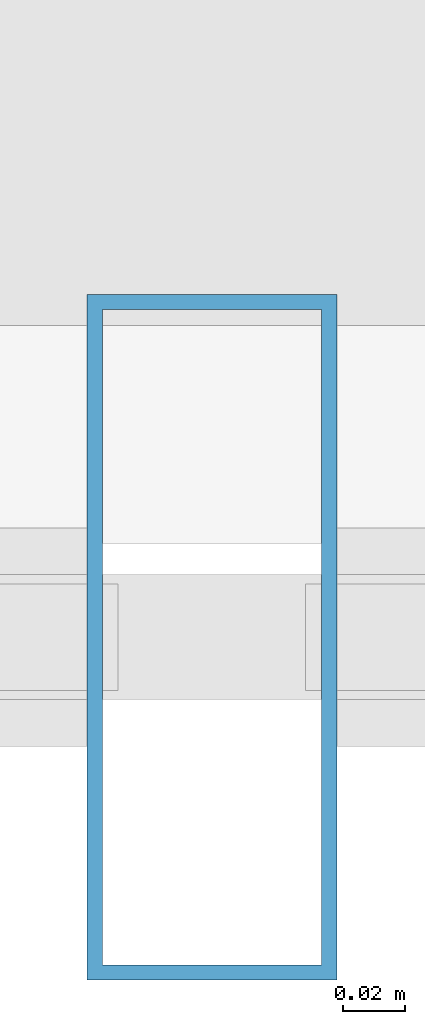
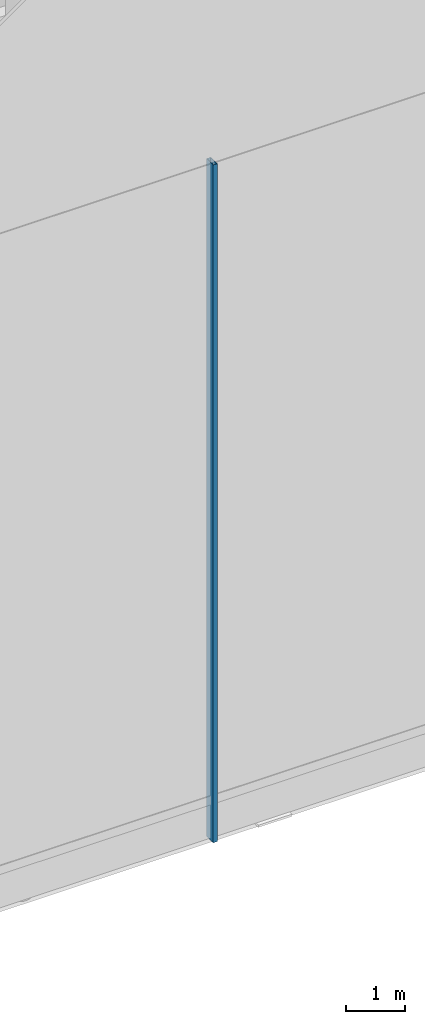
# One storey, part 14 of 42: 1 member, 1 element without a shape of its own.
"""IFC4 building model written with IfcOpenShell, lengths in metres."""

import ifcopenshell
import ifcopenshell.guid

model = None  # the IFC model being written
_history = None  # IfcOwnerHistory: only IFC2X3 demands one
_inside = {}  # id of a spatial element -> (the spatial element, [elements in it])
_under = {}  # id of a project, library or spatial element -> (it, [spatial elements below it])
_declared = {}  # id of a project -> (the project, [libraries it declares])
_typed = {}  # id of a type object -> (the type object, [elements of that type])
_made_of = {}  # id of a material, layer set ... -> (it, [elements and type objects made of it])


def new_model(schema):
    """Start an empty IFC model of exactly this schema.

    Asked for "IFC4X3", IfcOpenShell would pick the latest addendum, in which some entities
    have other attributes; the version numbers below select the first issue.
    IFC2X3 requires an IfcOwnerHistory on every rooted entity: one is made here for all.
    """
    global model, _history
    if schema == "IFC4X3":
        model = ifcopenshell.file(schema_version=(4, 3, 0, 0))
    else:
        model = ifcopenshell.file(schema=schema)
    _inside.clear()
    _under.clear()
    _declared.clear()
    _typed.clear()
    _made_of.clear()
    _history = None
    if model.schema == "IFC2X3":
        org = make("IfcOrganization", Name="unknown")
        user = make(
            "IfcPersonAndOrganization",
            ThePerson=make("IfcPerson", FamilyName="unknown"),
            TheOrganization=org,
        )
        app = make(
            "IfcApplication",
            ApplicationDeveloper=org,
            Version="unknown",
            ApplicationFullName="unknown",
            ApplicationIdentifier="unknown",
        )
        _history = make(
            "IfcOwnerHistory",
            OwningUser=user,
            OwningApplication=app,
            ChangeAction="ADDED",
            CreationDate=0,
        )
    return model


def make(cls, **values):
    """One entity of the class cls with the attributes given. An attribute that is None is left unset."""
    return model.create_entity(
        cls, **{name: value for name, value in values.items() if value is not None}
    )


def rooted(cls, **values):
    """An entity with a GlobalId (a new one), such as an element, a storey or a relation."""
    return make(cls, GlobalId=ifcopenshell.guid.new(), OwnerHistory=_history, **values)


def si_unit(unit_type, name, prefix=None):
    """IfcSIUnit, for example si_unit("LENGTHUNIT", "METRE", prefix="MILLI")."""
    return make("IfcSIUnit", UnitType=unit_type, Prefix=prefix, Name=name)


def assignment(units):
    """IfcUnitAssignment: the units of a project."""
    return None if units is None else make("IfcUnitAssignment", Units=units)


def point(xyz):
    """IfcCartesianPoint."""
    return None if xyz is None else make("IfcCartesianPoint", Coordinates=xyz)


def direction(xyz):
    """IfcDirection."""
    return None if xyz is None else make("IfcDirection", DirectionRatios=xyz)


def frame(location, z_axis=None, x_axis=None):
    """IfcAxis2Placement3D, a coordinate frame: its origin and axes. An axis left out is left unset."""
    return make(
        "IfcAxis2Placement3D",
        Location=point(location),
        Axis=direction(z_axis),
        RefDirection=direction(x_axis),
    )


def frame_2d(location, x_axis=None):
    """IfcAxis2Placement2D, a coordinate frame in the plane: its origin and x axis."""
    return make(
        "IfcAxis2Placement2D", Location=point(location), RefDirection=direction(x_axis)
    )


def origin():
    """The frame at (0, 0, 0) with its axes left unset."""
    return frame((0.0, 0.0, 0.0))


def origin_2d():
    """The frame at (0, 0) in the plane with its x axis left unset."""
    return frame_2d((0.0, 0.0))


def place(relative_to, where):
    """IfcLocalPlacement: puts the frame where relative to a parent placement (None: the world)."""
    return make(
        "IfcLocalPlacement", PlacementRelTo=relative_to, RelativePlacement=where
    )


def context(
    kind, dimensions, precision=None, world=None, true_north=None, identifier=None
):
    """IfcGeometricRepresentationContext, for example the 3D "Model" context."""
    return make(
        "IfcGeometricRepresentationContext",
        ContextIdentifier=identifier,
        ContextType=kind,
        CoordinateSpaceDimension=dimensions,
        Precision=precision,
        WorldCoordinateSystem=world,
        TrueNorth=true_north,
    )


def subcontext(parent, identifier, kind, view, scale=None):
    """IfcGeometricRepresentationSubContext, for example "Body" below "Model"."""
    return make(
        "IfcGeometricRepresentationSubContext",
        ContextIdentifier=identifier,
        ContextType=kind,
        ParentContext=parent,
        TargetScale=scale,
        TargetView=view,
    )


def project(units=None, contexts=None):
    """IfcProject with its units and contexts."""
    return rooted(
        "IfcProject",
        Name="project",
        RepresentationContexts=contexts,
        UnitsInContext=assignment(units),
    )


def spatial(cls, under=None, at=None, **own):
    """A site, building, storey or space (cls), placed at a placement, below another one or the project."""
    s = rooted(cls, ObjectPlacement=at, **own)
    if under is not None:
        _under.setdefault(under.id(), (under, []))[1].append(s)
    return s


def profile(cls, at=None, kind="AREA", **sizes):
    """A parametric profile (cls). Its sizes go by their IFC names, for example OverallWidth=200.0."""
    return make(cls, ProfileType=kind, Position=at, **sizes)


def hollow_rectangle(**sizes):
    """IfcRectangleHollowProfileDef."""
    return profile("IfcRectangleHollowProfileDef", **sizes)


def extrude(swept, where, along, depth):
    """IfcExtrudedAreaSolid: the profile swept, set in the frame where, extruded along a direction by depth."""
    return make(
        "IfcExtrudedAreaSolid",
        SweptArea=swept,
        Position=where,
        ExtrudedDirection=direction(along),
        Depth=depth,
    )


def shape(context_of_items, identifier, shape_type, items):
    """IfcShapeRepresentation: the items that make up one representation, for example the "Body"."""
    return make(
        "IfcShapeRepresentation",
        ContextOfItems=context_of_items,
        RepresentationIdentifier=identifier,
        RepresentationType=shape_type,
        Items=items,
    )


def material(Name=None, Category=None):
    """IfcMaterial."""
    return make("IfcMaterial", Name=Name, Category=Category)


def layer(
    of_material, thickness, ventilated=None, Name=None, Category=None, Priority=None
):
    """IfcMaterialLayer: one layer of a wall or slab, of a material (None: an air gap)."""
    return make(
        "IfcMaterialLayer",
        Material=of_material,
        LayerThickness=thickness,
        IsVentilated=ventilated,
        Name=Name,
        Category=Category,
        Priority=Priority,
    )


def layer_set(layers, Name=None):
    """IfcMaterialLayerSet."""
    return make("IfcMaterialLayerSet", MaterialLayers=layers, LayerSetName=Name)


def material_profile(
    of_material, cross_section, Name=None, Category=None, Priority=None
):
    """IfcMaterialProfile: a cross section and its material."""
    return make(
        "IfcMaterialProfile",
        Name=Name,
        Material=of_material,
        Profile=cross_section,
        Priority=Priority,
        Category=Category,
    )


def profile_set(profiles, Name=None, composite=None):
    """IfcMaterialProfileSet."""
    return make(
        "IfcMaterialProfileSet",
        Name=Name,
        MaterialProfiles=profiles,
        CompositeProfile=composite,
    )


def made_of(thing, what):
    """Note that an element or type object is made of a material, layer set ...; save() writes the relation."""
    if what is not None:
        _made_of.setdefault(what.id(), (what, []))[1].append(thing)
    return thing


def type_object(cls, material=None, **own):
    """A type object (cls), such as IfcWallType, which elements share."""
    return made_of(rooted(cls, **own), material)


def element(
    cls,
    number,
    at=None,
    inside=None,
    cuts=None,
    type_object=None,
    material=None,
    context=None,
    identifier="Body",
    shape_type=None,
    held_by="IfcProductDefinitionShape",
    body=None,
    shapes=None,
    **own,
):
    """One element of the class cls, such as IfcWall. Its Tag is "e" and its number.

    at: its placement. inside: the storey or other place that contains it. cuts: it is an
    opening in that element (IfcRelVoidsElement). A single representation is given by context,
    identifier, shape_type and body (its items); several are given by shapes. held_by: the class
    of the entity that holds the representations. save() writes the other relations.
    """
    e = rooted(cls, Tag="e%d" % number, ObjectPlacement=at, **own)
    if body is not None:
        shapes = [shape(context, identifier, shape_type, body)]
    if shapes is not None:
        e.Representation = make(held_by, Representations=shapes)
    if inside is not None:
        _inside.setdefault(inside.id(), (inside, []))[1].append(e)
    if cuts is not None:
        rooted(
            "IfcRelVoidsElement", RelatingBuildingElement=cuts, RelatedOpeningElement=e
        )
    if type_object is not None:
        _typed.setdefault(type_object.id(), (type_object, []))[1].append(e)
    return made_of(e, material)


def aggregate(whole, parts):
    """IfcRelAggregates: a whole, such as a stair, and the parts it consists of."""
    return rooted("IfcRelAggregates", RelatingObject=whole, RelatedObjects=parts)


def save(model, path):
    """Write the relations noted so far, then the file.

    IfcRelAggregates (storeys below a building ...), IfcRelContainedInSpatialStructure (elements
    in a storey), IfcRelDefinesByType, IfcRelAssociatesMaterial and IfcRelDeclares: one each for
    every whole, place, type object, material and project.
    """
    for whole, parts in _under.values():
        aggregate(whole, parts)
    for where, things in _inside.values():
        rooted(
            "IfcRelContainedInSpatialStructure",
            RelatedElements=things,
            RelatingStructure=where,
        )
    for kind, things in _typed.values():
        rooted("IfcRelDefinesByType", RelatedObjects=things, RelatingType=kind)
    for what, things in _made_of.values():
        rooted("IfcRelAssociatesMaterial", RelatedObjects=things, RelatingMaterial=what)
    for by, libraries in _declared.values():
        rooted("IfcRelDeclares", RelatingContext=by, RelatedDefinitions=libraries)
    model.write(path)


model = new_model("IFC4")

# Units and contexts
model_context = context("Model", 3, precision=1e-05, world=origin(), true_north=direction((0.0, 1.0)))
body_context = subcontext(model_context, "Body", "Model", "MODEL_VIEW")
ifc_project = project(units=[si_unit("LENGTHUNIT", "METRE"), si_unit("AREAUNIT", "SQUARE_METRE"), si_unit("VOLUMEUNIT", "CUBIC_METRE"), si_unit("PLANEANGLEUNIT", "RADIAN"), si_unit("MASSUNIT", "GRAM", prefix="KILO")], contexts=[model_context])

# Site, building, storey
site_placement = place(None, origin())
site = spatial("IfcSite", under=ifc_project, at=site_placement, CompositionType="ELEMENT")
building_placement = place(site_placement, origin())
building = spatial("IfcBuilding", under=site, at=building_placement, Name="Kallvorn Hotel Tower", CompositionType="ELEMENT")
storey_placement = place(building_placement, frame((0.0, 0.0, 306.0)))
storey = spatial("IfcBuildingStorey", under=building, at=storey_placement, Name="ROOF", CompositionType="ELEMENT", Elevation=306.0)

# Curtain wall, member
ifc_material_1 = material(Name="Thermally broken black-anodised aluminium AA 6063-T6", Category="aluminium")
ifc_layer = layer(ifc_material_1, 0.18994140625)
ifc_layer_set = layer_set([ifc_layer], Name="CW_SYS_7_CROWN_DRUM")
curtain_wall_type = type_object("IfcCurtainWallType", Name="CW_SYS_7_CROWN_DRUM", PredefinedType="USERDEFINED", material=ifc_layer_set)
curtain_wall_placement = place(storey_placement, origin())
curtain_wall = element("IfcCurtainWall", 1, at=curtain_wall_placement, inside=storey, type_object=curtain_wall_type, Name="ROOF Dark-Glass Curtain Wall CW-ROOF-S2", ObjectType="UNITISED CURTAIN WALL", PredefinedType="USERDEFINED")
ifc_material_2 = material(Name="Thermally broken black-anodised aluminium AA 6063-T6", Category="aluminium")
ifc_material_profile = material_profile(ifc_material_2, hollow_rectangle(XDim=0.080078125, YDim=0.219970703125, WallThickness=0.0048828125, at=origin_2d()), Name="MUL 220x80")
ifc_profile_set = profile_set([ifc_material_profile], Name="Thermally broken black-anodised aluminium AA 6063-T6")
member_type = type_object("IfcMemberType", Name="CW_MULLION_220x80", PredefinedType="MULLION", material=ifc_profile_set)
member_placement = place(storey_placement, frame((3.61328125, -24.25, 0.02001953125), z_axis=(0.0, 0.0, 1.0), x_axis=(1.0, 0.0, 0.0)))
member = element("IfcMember", 2, at=member_placement, type_object=member_type, Name="CW-ROOF-S2 Mullion 01", PredefinedType="MULLION", context=body_context, shape_type="SweptSolid", body=[
    extrude(hollow_rectangle(XDim=0.080078125, YDim=0.219970703125, WallThickness=0.0048828125, at=origin_2d()), origin(), (0.0, 0.0, 1.0), 13.9599609375),
])
aggregate(curtain_wall, [member])

save(model, "model.ifc")
